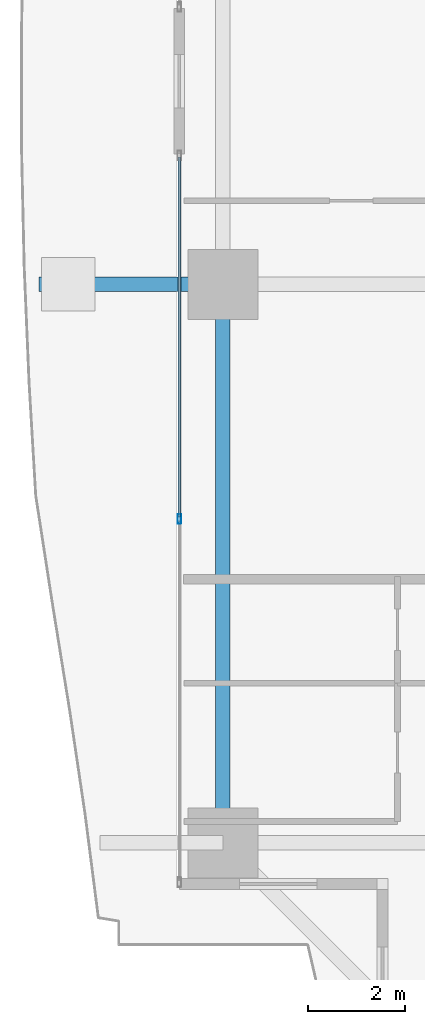
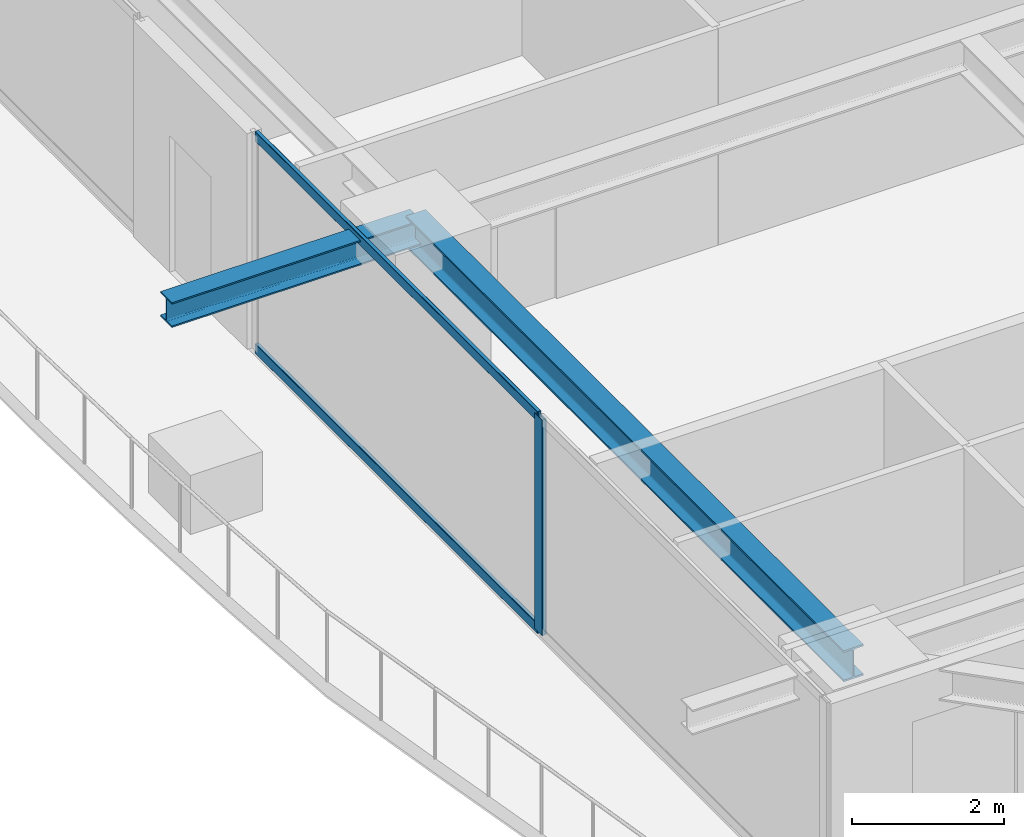
# One storey, part 6 of 35: 3 members, 2 beams, 1 element without a shape of its own.
"""IFC4 building model written with IfcOpenShell, lengths in metres."""

from ifc_helpers import new_model, si_unit, direction, frame, origin, origin_2d, place, context, subcontext, project, spatial, hollow_rectangle, i_section, extrude, source, transform, mapped, material, layer, layer_set, material_profile, profile_set, type_object, element, aggregate, save


model = new_model("IFC4")

# Units and contexts
model_context = context("Model", 3, precision=1e-05, world=origin(), true_north=direction((0.0, 1.0)))
body_context = subcontext(model_context, "Body", "Model", "MODEL_VIEW")
ifc_project = project(units=[si_unit("LENGTHUNIT", "METRE"), si_unit("AREAUNIT", "SQUARE_METRE"), si_unit("VOLUMEUNIT", "CUBIC_METRE"), si_unit("PLANEANGLEUNIT", "RADIAN"), si_unit("MASSUNIT", "GRAM", prefix="KILO")], contexts=[model_context])

# Site, building, storey
site_placement = place(None, origin())
site = spatial("IfcSite", under=ifc_project, at=site_placement, CompositionType="ELEMENT")
building_placement = place(site_placement, origin())
building = spatial("IfcBuilding", under=site, at=building_placement, Name="Serunith Strait Residences", CompositionType="ELEMENT")
storey_placement = place(building_placement, frame((0.0, 0.0, 56.699951171875)))
storey = spatial("IfcBuildingStorey", under=building, at=storey_placement, Name="L13", CompositionType="ELEMENT", Elevation=56.699951171875)

# Beams
ifc_material_1 = material(Name="Steel S355J2", Category="steel")
ifc_material_profile_1 = material_profile(ifc_material_1, i_section(OverallWidth=0.300048828125, OverallDepth=0.5, WebThickness=0.014404296875, FlangeThickness=0.028076171875, FilletRadius=0.027099609375, at=origin_2d()), Name="HEB 500")
ifc_profile_set_1 = profile_set([ifc_material_profile_1], Name="Steel S355J2")
beam_type_1 = type_object("IfcBeamType", Name="BM-HEB500", PredefinedType="BEAM", material=ifc_profile_set_1)
shared_shape_1 = source(origin(), body_context, "Body", "SweptSolid", [
    extrude(i_section(OverallWidth=0.300048828125, OverallDepth=0.5, WebThickness=0.014404296875, FlangeThickness=0.028076171875, FilletRadius=0.027099609375, at=origin_2d()), origin(), (0.0, 0.0, 1.0), 11.550048828125),
])
beam_1_placement = place(storey_placement, frame((6.89990234375, 21.0, 3.237060546875), z_axis=(0.0, -1.0, 0.0), x_axis=(1.0, 0.0, 0.0)))
element("IfcBeam", 1, at=beam_1_placement, inside=storey, type_object=beam_type_1, Name="L13 Perimeter Ring Beam 15", PredefinedType="BEAM", context=body_context, shape_type="MappedRepresentation", body=[
    mapped(shared_shape_1, transform((0.0, 0.0, 0.0), scale=1.0)),
])
ifc_material_profile_2 = material_profile(ifc_material_1, i_section(OverallWidth=0.300048828125, OverallDepth=0.39990234375, WebThickness=0.013427734375, FlangeThickness=0.02392578125, FilletRadius=0.027099609375, at=origin_2d()), Name="HEB 400")
ifc_profile_set_2 = profile_set([ifc_material_profile_2], Name="Steel S355J2")
beam_type_2 = type_object("IfcBeamType", Name="BM-HEB400", PredefinedType="BEAM", material=ifc_profile_set_2)
shared_shape_2 = source(origin(), body_context, "Body", "SweptSolid", [
    extrude(i_section(OverallWidth=0.300048828125, OverallDepth=0.39990234375, WebThickness=0.013427734375, FlangeThickness=0.02392578125, FilletRadius=0.027099609375, at=origin_2d()), origin(), (0.0, 0.0, 1.0), 3.7998046875),
])
beam_2_placement = place(storey_placement, frame((6.89990234375, 21.0, 3.257080078125), z_axis=(-1.0, 0.0, 0.0), x_axis=(0.0, -1.0, 0.0)))
element("IfcBeam", 2, at=beam_2_placement, inside=storey, type_object=beam_type_2, Name="L14 Cantilevered Balcony Rib TC-W2", PredefinedType="BEAM", context=body_context, shape_type="MappedRepresentation", body=[
    mapped(shared_shape_2, transform((0.0, 0.0, 0.0), scale=1.0)),
])

# Curtain wall, members
ifc_material_2 = material(Name="Pale-Champagne Anodised Aluminium", Category="aluminium")
ifc_layer = layer(ifc_material_2, 0.199951171875, Name="Pale-Champagne Anodised Aluminium")
ifc_layer_set = layer_set([ifc_layer], Name="Pale-Champagne Anodised Aluminium")
curtain_wall_type = type_object("IfcCurtainWallType", Name="CW-SYS1", PredefinedType="NOTDEFINED", material=ifc_layer_set)
curtain_wall_placement = place(storey_placement, origin())
curtain_wall = element("IfcCurtainWall", 3, at=curtain_wall_placement, inside=storey, type_object=curtain_wall_type, Name="L13 W Unitised Fritted Curtain Wall", PredefinedType="NOTDEFINED")
ifc_material_profile_3 = material_profile(ifc_material_2, hollow_rectangle(XDim=0.070068359375, YDim=0.199951171875, WallThickness=0.00390625, InnerFilletRadius=0.006103515625, OuterFilletRadius=0.010009765625, at=origin_2d()), Name="ALU 200x70x4")
ifc_profile_set_3 = profile_set([ifc_material_profile_3], Name="Pale-Champagne Anodised Aluminium")
member_type_1 = type_object("IfcMemberType", Name="CW-SYS1-MULL", PredefinedType="MULLION", material=ifc_profile_set_3)
shared_shape_3 = source(origin(), body_context, "Body", "SweptSolid", [
    extrude(hollow_rectangle(XDim=0.070068359375, YDim=0.199951171875, WallThickness=0.00390625, InnerFilletRadius=0.006103515625, OuterFilletRadius=0.010009765625, at=origin_2d()), origin(), (0.0, 0.0, 1.0), 3.47509765625),
])
member_1_placement = place(storey_placement, frame((6.0, 16.14990234375, 0.0), z_axis=(0.0, 0.0, 1.0), x_axis=(1.0, 0.0, 0.0)))
member_1 = element("IfcMember", 4, at=member_1_placement, type_object=member_type_1, Name="CW-1 mullion 2", PredefinedType="MULLION", context=body_context, shape_type="MappedRepresentation", body=[
    mapped(shared_shape_3, transform((0.0, 0.0, 0.0), scale=1.0)),
])
ifc_material_profile_4 = material_profile(ifc_material_2, hollow_rectangle(XDim=0.06005859375, YDim=0.159912109375, WallThickness=0.00341796875, InnerFilletRadius=0.00537109375, OuterFilletRadius=0.0087890625, at=origin_2d()), Name="ALU 160x60x3.5")
ifc_profile_set_4 = profile_set([ifc_material_profile_4], Name="Pale-Champagne Anodised Aluminium")
member_type_2 = type_object("IfcMemberType", Name="CW-SYS1-TRAN", PredefinedType="USERDEFINED", material=ifc_profile_set_4)
shared_shape_4 = source(origin(), body_context, "Body", "SweptSolid", [
    extrude(hollow_rectangle(XDim=0.06005859375, YDim=0.159912109375, WallThickness=0.00341796875, InnerFilletRadius=0.00537109375, OuterFilletRadius=0.0087890625, at=origin_2d()), origin(), (0.0, 0.0, 1.0), 7.44482421875),
])
member_2_placement = place(storey_placement, frame((6.0, 23.6298828125, 0.030029296875), z_axis=(0.0, -1.0, 0.0), x_axis=(1.0, 0.0, 0.0)))
member_2 = element("IfcMember", 5, at=member_2_placement, type_object=member_type_2, Name="CW-1 transom 1.1", ObjectType="TRANSOM", PredefinedType="USERDEFINED", context=body_context, shape_type="MappedRepresentation", body=[
    mapped(shared_shape_4, transform((0.0, 0.0, 0.0), scale=1.0)),
])
member_3_placement = place(storey_placement, frame((6.0, 23.6298828125, 3.445068359375), z_axis=(0.0, -1.0, 0.0), x_axis=(1.0, 0.0, 0.0)))
member_3 = element("IfcMember", 6, at=member_3_placement, type_object=member_type_2, Name="CW-1 transom 1.2", ObjectType="TRANSOM", PredefinedType="USERDEFINED", context=body_context, shape_type="MappedRepresentation", body=[
    mapped(shared_shape_4, transform((0.0, 0.0, 0.0), scale=1.0)),
])
aggregate(curtain_wall, [member_1, member_2, member_3])

save(model, "model.ifc")
